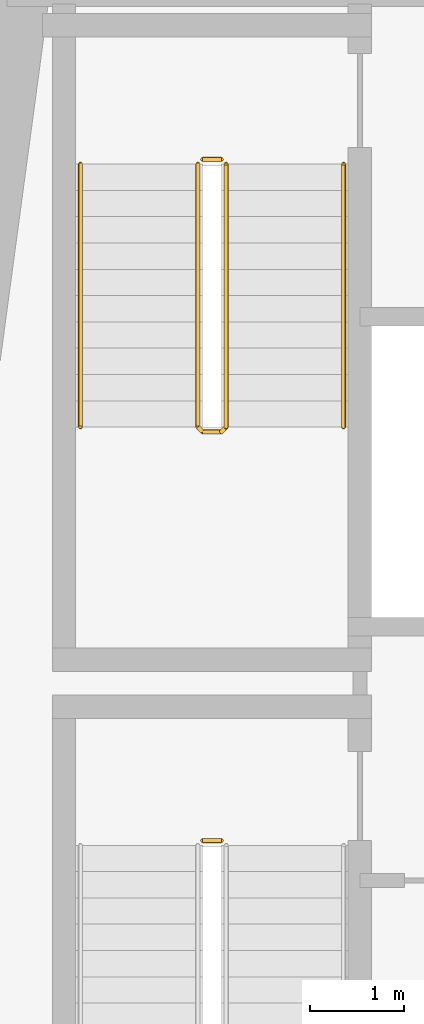
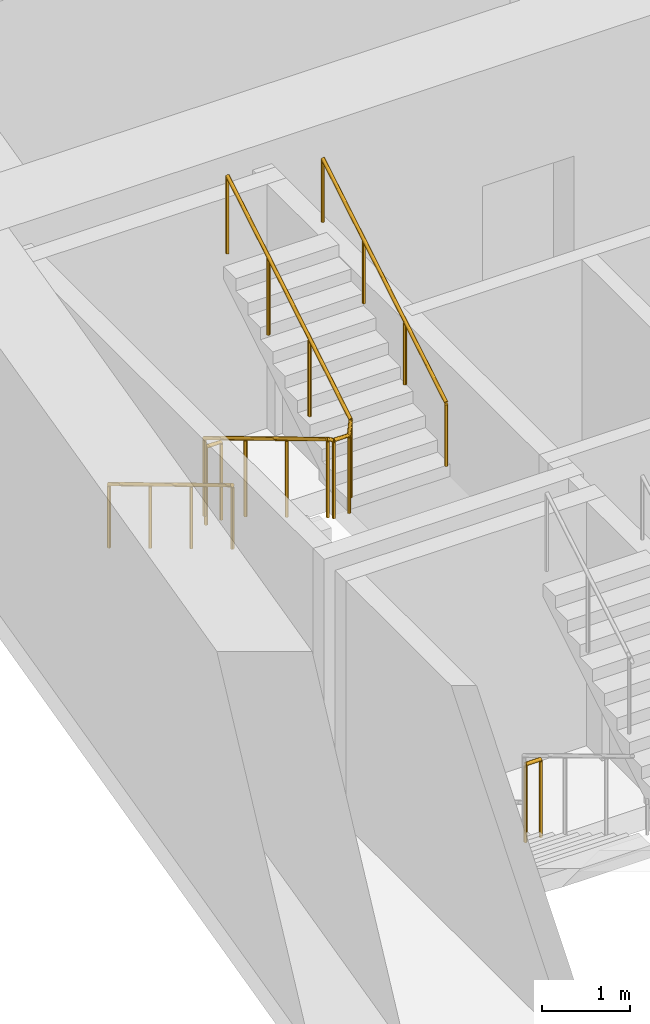
# One storey, part 10 of 13: 5 railings.
"""IFC4 building model written with IfcOpenShell, lengths in metres."""

import ifcopenshell
import ifcopenshell.guid

model = None  # the IFC model being written
_history = None  # IfcOwnerHistory: only IFC2X3 demands one
_inside = {}  # id of a spatial element -> (the spatial element, [elements in it])
_under = {}  # id of a project, library or spatial element -> (it, [spatial elements below it])
_declared = {}  # id of a project -> (the project, [libraries it declares])
_typed = {}  # id of a type object -> (the type object, [elements of that type])
_made_of = {}  # id of a material, layer set ... -> (it, [elements and type objects made of it])


def new_model(schema):
    """Start an empty IFC model of exactly this schema.

    Asked for "IFC4X3", IfcOpenShell would pick the latest addendum, in which some entities
    have other attributes; the version numbers below select the first issue.
    IFC2X3 requires an IfcOwnerHistory on every rooted entity: one is made here for all.
    """
    global model, _history
    if schema == "IFC4X3":
        model = ifcopenshell.file(schema_version=(4, 3, 0, 0))
    else:
        model = ifcopenshell.file(schema=schema)
    _inside.clear()
    _under.clear()
    _declared.clear()
    _typed.clear()
    _made_of.clear()
    _history = None
    if model.schema == "IFC2X3":
        org = make("IfcOrganization", Name="unknown")
        user = make(
            "IfcPersonAndOrganization",
            ThePerson=make("IfcPerson", FamilyName="unknown"),
            TheOrganization=org,
        )
        app = make(
            "IfcApplication",
            ApplicationDeveloper=org,
            Version="unknown",
            ApplicationFullName="unknown",
            ApplicationIdentifier="unknown",
        )
        _history = make(
            "IfcOwnerHistory",
            OwningUser=user,
            OwningApplication=app,
            ChangeAction="ADDED",
            CreationDate=0,
        )
    return model


def make(cls, **values):
    """One entity of the class cls with the attributes given. An attribute that is None is left unset."""
    return model.create_entity(
        cls, **{name: value for name, value in values.items() if value is not None}
    )


def rooted(cls, **values):
    """An entity with a GlobalId (a new one), such as an element, a storey or a relation."""
    return make(cls, GlobalId=ifcopenshell.guid.new(), OwnerHistory=_history, **values)


def si_unit(unit_type, name, prefix=None):
    """IfcSIUnit, for example si_unit("LENGTHUNIT", "METRE", prefix="MILLI")."""
    return make("IfcSIUnit", UnitType=unit_type, Prefix=prefix, Name=name)


def assignment(units):
    """IfcUnitAssignment: the units of a project."""
    return None if units is None else make("IfcUnitAssignment", Units=units)


def point(xyz):
    """IfcCartesianPoint."""
    return None if xyz is None else make("IfcCartesianPoint", Coordinates=xyz)


def direction(xyz):
    """IfcDirection."""
    return None if xyz is None else make("IfcDirection", DirectionRatios=xyz)


def frame(location, z_axis=None, x_axis=None):
    """IfcAxis2Placement3D, a coordinate frame: its origin and axes. An axis left out is left unset."""
    return make(
        "IfcAxis2Placement3D",
        Location=point(location),
        Axis=direction(z_axis),
        RefDirection=direction(x_axis),
    )


def frame_2d(location, x_axis=None):
    """IfcAxis2Placement2D, a coordinate frame in the plane: its origin and x axis."""
    return make(
        "IfcAxis2Placement2D", Location=point(location), RefDirection=direction(x_axis)
    )


def origin():
    """The frame at (0, 0, 0) with its axes left unset."""
    return frame((0.0, 0.0, 0.0))


def origin_2d():
    """The frame at (0, 0) in the plane with its x axis left unset."""
    return frame_2d((0.0, 0.0))


def place(relative_to, where):
    """IfcLocalPlacement: puts the frame where relative to a parent placement (None: the world)."""
    return make(
        "IfcLocalPlacement", PlacementRelTo=relative_to, RelativePlacement=where
    )


def context(
    kind, dimensions, precision=None, world=None, true_north=None, identifier=None
):
    """IfcGeometricRepresentationContext, for example the 3D "Model" context."""
    return make(
        "IfcGeometricRepresentationContext",
        ContextIdentifier=identifier,
        ContextType=kind,
        CoordinateSpaceDimension=dimensions,
        Precision=precision,
        WorldCoordinateSystem=world,
        TrueNorth=true_north,
    )


def subcontext(parent, identifier, kind, view, scale=None):
    """IfcGeometricRepresentationSubContext, for example "Body" below "Model"."""
    return make(
        "IfcGeometricRepresentationSubContext",
        ContextIdentifier=identifier,
        ContextType=kind,
        ParentContext=parent,
        TargetScale=scale,
        TargetView=view,
    )


def project(units=None, contexts=None):
    """IfcProject with its units and contexts."""
    return rooted(
        "IfcProject",
        Name="project",
        RepresentationContexts=contexts,
        UnitsInContext=assignment(units),
    )


def spatial(cls, under=None, at=None, **own):
    """A site, building, storey or space (cls), placed at a placement, below another one or the project."""
    s = rooted(cls, ObjectPlacement=at, **own)
    if under is not None:
        _under.setdefault(under.id(), (under, []))[1].append(s)
    return s


def profile(cls, at=None, kind="AREA", **sizes):
    """A parametric profile (cls). Its sizes go by their IFC names, for example OverallWidth=200.0."""
    return make(cls, ProfileType=kind, Position=at, **sizes)


def circle(**sizes):
    """IfcCircleProfileDef."""
    return profile("IfcCircleProfileDef", **sizes)


def extrude(swept, where, along, depth):
    """IfcExtrudedAreaSolid: the profile swept, set in the frame where, extruded along a direction by depth."""
    return make(
        "IfcExtrudedAreaSolid",
        SweptArea=swept,
        Position=where,
        ExtrudedDirection=direction(along),
        Depth=depth,
    )


def shape(context_of_items, identifier, shape_type, items):
    """IfcShapeRepresentation: the items that make up one representation, for example the "Body"."""
    return make(
        "IfcShapeRepresentation",
        ContextOfItems=context_of_items,
        RepresentationIdentifier=identifier,
        RepresentationType=shape_type,
        Items=items,
    )


def material(Name=None, Category=None):
    """IfcMaterial."""
    return make("IfcMaterial", Name=Name, Category=Category)


def made_of(thing, what):
    """Note that an element or type object is made of a material, layer set ...; save() writes the relation."""
    if what is not None:
        _made_of.setdefault(what.id(), (what, []))[1].append(thing)
    return thing


def type_object(cls, material=None, **own):
    """A type object (cls), such as IfcWallType, which elements share."""
    return made_of(rooted(cls, **own), material)


def element(
    cls,
    number,
    at=None,
    inside=None,
    cuts=None,
    type_object=None,
    material=None,
    context=None,
    identifier="Body",
    shape_type=None,
    held_by="IfcProductDefinitionShape",
    body=None,
    shapes=None,
    **own,
):
    """One element of the class cls, such as IfcWall. Its Tag is "e" and its number.

    at: its placement. inside: the storey or other place that contains it. cuts: it is an
    opening in that element (IfcRelVoidsElement). A single representation is given by context,
    identifier, shape_type and body (its items); several are given by shapes. held_by: the class
    of the entity that holds the representations. save() writes the other relations.
    """
    e = rooted(cls, Tag="e%d" % number, ObjectPlacement=at, **own)
    if body is not None:
        shapes = [shape(context, identifier, shape_type, body)]
    if shapes is not None:
        e.Representation = make(held_by, Representations=shapes)
    if inside is not None:
        _inside.setdefault(inside.id(), (inside, []))[1].append(e)
    if cuts is not None:
        rooted(
            "IfcRelVoidsElement", RelatingBuildingElement=cuts, RelatedOpeningElement=e
        )
    if type_object is not None:
        _typed.setdefault(type_object.id(), (type_object, []))[1].append(e)
    return made_of(e, material)


def aggregate(whole, parts):
    """IfcRelAggregates: a whole, such as a stair, and the parts it consists of."""
    return rooted("IfcRelAggregates", RelatingObject=whole, RelatedObjects=parts)


def save(model, path):
    """Write the relations noted so far, then the file.

    IfcRelAggregates (storeys below a building ...), IfcRelContainedInSpatialStructure (elements
    in a storey), IfcRelDefinesByType, IfcRelAssociatesMaterial and IfcRelDeclares: one each for
    every whole, place, type object, material and project.
    """
    for whole, parts in _under.values():
        aggregate(whole, parts)
    for where, things in _inside.values():
        rooted(
            "IfcRelContainedInSpatialStructure",
            RelatedElements=things,
            RelatingStructure=where,
        )
    for kind, things in _typed.values():
        rooted("IfcRelDefinesByType", RelatedObjects=things, RelatingType=kind)
    for what, things in _made_of.values():
        rooted("IfcRelAssociatesMaterial", RelatedObjects=things, RelatingMaterial=what)
    for by, libraries in _declared.values():
        rooted("IfcRelDeclares", RelatingContext=by, RelatedDefinitions=libraries)
    model.write(path)


model = new_model("IFC4")

# Units and contexts
model_context = context("Model", 3, precision=1e-05, world=origin(), true_north=direction((0.0, 1.0)))
body_context = subcontext(model_context, "Body", "Model", "MODEL_VIEW")
ifc_project = project(units=[si_unit("LENGTHUNIT", "METRE"), si_unit("AREAUNIT", "SQUARE_METRE"), si_unit("VOLUMEUNIT", "CUBIC_METRE"), si_unit("PLANEANGLEUNIT", "RADIAN"), si_unit("MASSUNIT", "GRAM", prefix="KILO")], contexts=[model_context])

# Site, building, storey
site_placement = place(None, origin())
site = spatial("IfcSite", under=ifc_project, at=site_placement, CompositionType="ELEMENT")
building_placement = place(site_placement, origin())
building = spatial("IfcBuilding", under=site, at=building_placement, Name="Candeia Pilgrim Tower and Theatre", CompositionType="ELEMENT")
storey_placement = place(building_placement, frame((0.0, 0.0, 91.0)))
storey = spatial("IfcBuildingStorey", under=building, at=storey_placement, Name="L20", CompositionType="ELEMENT", Elevation=91.0)

# Railings
ifc_material_1 = material(Name="Stainless steel balustrade", Category="steel")
railing_type_1 = type_object("IfcRailingType", Name="RL-GUARD-1100", PredefinedType="GUARDRAIL", material=ifc_material_1)
railing_1_placement = place(storey_placement, frame((91.152099609375, 122.52490234375, 0.0)))
element("IfcRailing", 1, at=railing_1_placement, inside=storey, type_object=railing_type_1, Name="L20 ST1 stair guard 2", PredefinedType="GUARDRAIL", context=body_context, shape_type="SweptSolid", body=[
    extrude(circle(Radius=0.02392578125, at=origin_2d()), frame((0.0, 0.0, 1.076171875), z_axis=(1.0, 0.0, 0.0), x_axis=(0.0, 1.0, 0.0)), (0.0, 0.0, 1.0), 0.199951171875),
    extrude(circle(Radius=0.02099609375, at=origin_2d()), origin(), (0.0, 0.0, 1.0), 1.052001953125),
    extrude(circle(Radius=0.02099609375, at=origin_2d()), frame((0.199951171875, 0.0, 0.0)), (0.0, 0.0, 1.0), 1.052001953125),
])
railing_2_placement = place(storey_placement, frame((91.10205078125, 129.72509765625, 0.168212890625)))
element("IfcRailing", 2, at=railing_2_placement, inside=storey, type_object=railing_type_1, Name="L20 ST2 stair guard 1", PredefinedType="GUARDRAIL", context=body_context, shape_type="SweptSolid", body=[
    extrude(circle(Radius=0.02392578125, at=origin_2d()), frame((0.0, 0.0, 1.076171875), z_axis=(0.0, -0.857242210791, 0.514913383045), x_axis=(1.0, 0.0, 0.0)), (0.0, 0.0, 1.0), 3.266357421875),
    extrude(circle(Radius=0.02392578125, at=origin_2d()), frame((0.0, -2.800048828125, 2.7578125), z_axis=(0.707106781187, -0.707106781187, 0.0), x_axis=(0.707106781187, 0.707106781187, 0.0)), (0.0, 0.0, 1.0), 0.07080078125),
    extrude(circle(Radius=0.02392578125, at=origin_2d()), frame((0.050048828125, -2.85009765625, 2.7578125), z_axis=(1.0, 0.0, 0.0), x_axis=(0.0, 1.0, 0.0)), (0.0, 0.0, 1.0), 0.199951171875),
    extrude(circle(Radius=0.02392578125, at=origin_2d()), frame((0.25, -2.85009765625, 2.7578125), z_axis=(0.274582412415, 0.274582412415, 0.921525364591), x_axis=(-0.707106781187, 0.707106781187, 0.0)), (0.0, 0.0, 1.0), 0.182373046875),
    extrude(circle(Radius=0.02392578125, at=origin_2d()), frame((0.300048828125, -2.800048828125, 2.92578125), z_axis=(0.0, 0.857242210791, 0.514913383045), x_axis=(-1.0, 0.0, 0.0)), (0.0, 0.0, 1.0), 3.266357421875),
    extrude(circle(Radius=0.02099609375, at=origin_2d()), origin(), (0.0, 0.0, 1.0), 1.052001953125),
    extrude(circle(Radius=0.02099609375, at=origin_2d()), frame((0.0, -0.933349609375, 0.560546875)), (0.0, 0.0, 1.0), 1.052001953125),
    extrude(circle(Radius=0.02099609375, at=origin_2d()), frame((0.0, -1.86669921875, 1.121337890625)), (0.0, 0.0, 1.0), 1.052001953125),
    extrude(circle(Radius=0.02099609375, at=origin_2d()), frame((0.0, -2.800048828125, 1.681884765625)), (0.0, 0.0, 1.0), 1.052001953125),
    extrude(circle(Radius=0.02099609375, at=origin_2d()), frame((0.050048828125, -2.85009765625, 1.681884765625)), (0.0, 0.0, 1.0), 1.052001953125),
    extrude(circle(Radius=0.02099609375, at=origin_2d()), frame((0.25, -2.85009765625, 1.681884765625)), (0.0, 0.0, 1.0), 1.052001953125),
    extrude(circle(Radius=0.02099609375, at=origin_2d()), frame((0.300048828125, -2.800048828125, 1.849853515625)), (0.0, 0.0, 1.0), 1.052001953125),
    extrude(circle(Radius=0.02099609375, at=origin_2d()), frame((0.300048828125, -1.86669921875, 2.410400390625)), (0.0, 0.0, 1.0), 1.052001953125),
    extrude(circle(Radius=0.02099609375, at=origin_2d()), frame((0.300048828125, -0.933349609375, 2.97119140625)), (0.0, 0.0, 1.0), 1.052001953125),
    extrude(circle(Radius=0.02099609375, at=origin_2d()), frame((0.300048828125, 0.0, 3.53173828125)), (0.0, 0.0, 1.0), 1.052001953125),
])
railing_3_placement = place(storey_placement, frame((91.152099609375, 129.77490234375, 0.0)))
element("IfcRailing", 3, at=railing_3_placement, inside=storey, type_object=railing_type_1, Name="L20 ST2 stair guard 2", PredefinedType="GUARDRAIL", context=body_context, shape_type="SweptSolid", body=[
    extrude(circle(Radius=0.02392578125, at=origin_2d()), frame((0.0, 0.0, 1.076171875), z_axis=(1.0, 0.0, 0.0), x_axis=(0.0, 1.0, 0.0)), (0.0, 0.0, 1.0), 0.199951171875),
    extrude(circle(Radius=0.02099609375, at=origin_2d()), origin(), (0.0, 0.0, 1.0), 1.052001953125),
    extrude(circle(Radius=0.02099609375, at=origin_2d()), frame((0.199951171875, 0.0, 0.0)), (0.0, 0.0, 1.0), 1.052001953125),
])
ifc_material_2 = material(Name="Stainless steel handrail", Category="steel")
railing_type_2 = type_object("IfcRailingType", Name="RL-HANDRAIL-900", PredefinedType="HANDRAIL", material=ifc_material_2)
railing_4_placement = place(storey_placement, frame((89.85205078125, 129.72509765625, 0.168212890625)))
element("IfcRailing", 4, at=railing_4_placement, inside=storey, type_object=railing_type_2, Name="L20 ST2 stair handrail 1", PredefinedType="HANDRAIL", context=body_context, shape_type="SweptSolid", body=[
    extrude(circle(Radius=0.02392578125, at=origin_2d()), frame((0.0, 0.0, 0.8759765625), z_axis=(0.0, -0.857242210791, 0.514913383045), x_axis=(1.0, 0.0, 0.0)), (0.0, 0.0, 1.0), 3.266357421875),
    extrude(circle(Radius=0.02099609375, at=origin_2d()), origin(), (0.0, 0.0, 1.0), 0.851806640625),
    extrude(circle(Radius=0.02099609375, at=origin_2d()), frame((0.0, -0.933349609375, 0.560546875)), (0.0, 0.0, 1.0), 0.851806640625),
    extrude(circle(Radius=0.02099609375, at=origin_2d()), frame((0.0, -1.86669921875, 1.121337890625)), (0.0, 0.0, 1.0), 0.851806640625),
    extrude(circle(Radius=0.02099609375, at=origin_2d()), frame((0.0, -2.800048828125, 1.681884765625)), (0.0, 0.0, 1.0), 0.851806640625),
])
railing_5_placement = place(storey_placement, frame((92.652099609375, 126.925048828125, 2.01806640625)))
element("IfcRailing", 5, at=railing_5_placement, inside=storey, type_object=railing_type_2, Name="L20 ST2 stair handrail 2", PredefinedType="HANDRAIL", context=body_context, shape_type="SweptSolid", body=[
    extrude(circle(Radius=0.02392578125, at=origin_2d()), frame((0.0, 0.0, 0.8759765625), z_axis=(0.0, 0.857242210791, 0.514913383045), x_axis=(-1.0, 0.0, 0.0)), (0.0, 0.0, 1.0), 3.266357421875),
    extrude(circle(Radius=0.02099609375, at=origin_2d()), origin(), (0.0, 0.0, 1.0), 0.851806640625),
    extrude(circle(Radius=0.02099609375, at=origin_2d()), frame((0.0, 0.933349609375, 0.560546875)), (0.0, 0.0, 1.0), 0.851806640625),
    extrude(circle(Radius=0.02099609375, at=origin_2d()), frame((0.0, 1.86669921875, 1.121337890625)), (0.0, 0.0, 1.0), 0.851806640625),
    extrude(circle(Radius=0.02099609375, at=origin_2d()), frame((0.0, 2.800048828125, 1.681884765625)), (0.0, 0.0, 1.0), 0.851806640625),
])

save(model, "model.ifc")
